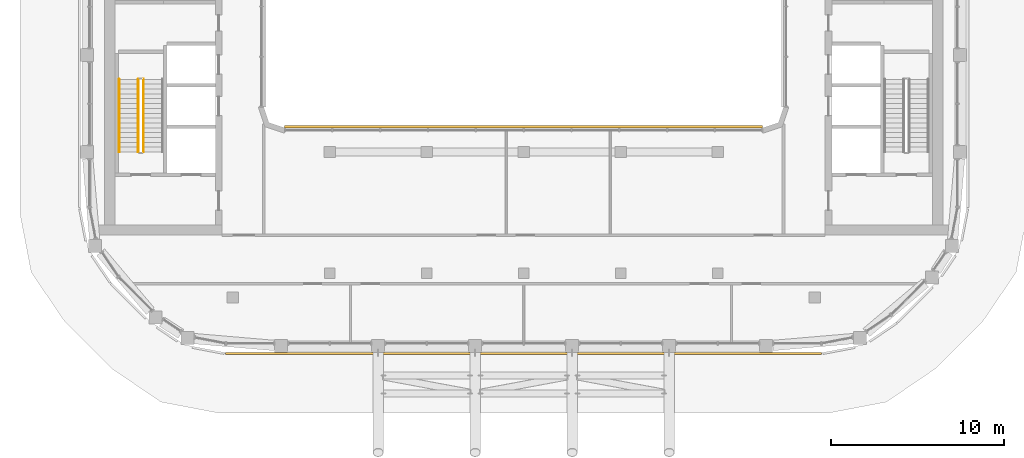
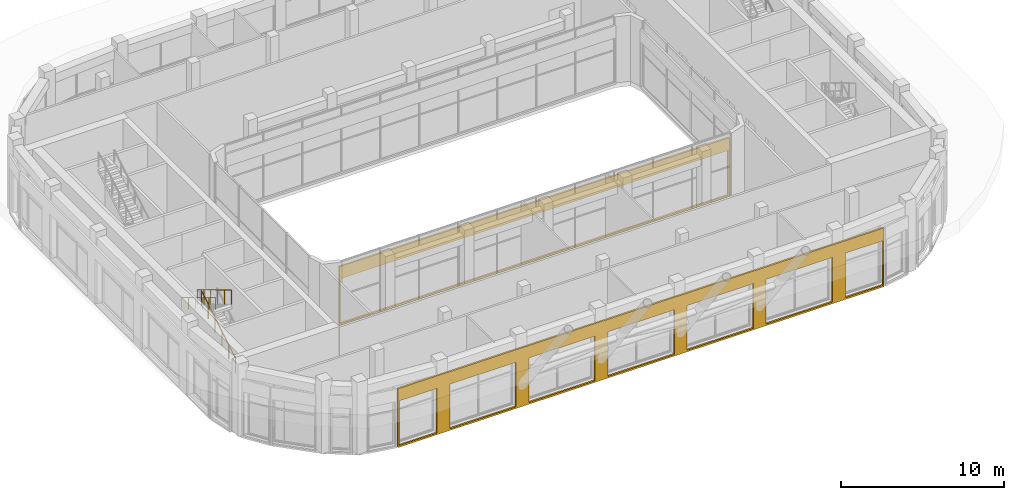
# One storey, part 20 of 24: 3 railings, 2 coverings.
"""IFC4 building model written with IfcOpenShell, lengths in metres."""

from ifc_helpers import new_model, si_unit, direction, frame, origin, origin_2d, place, context, subcontext, project, spatial, polyline, circle, outline, extrude, material, layer, layer_set, type_object, element, save


model = new_model("IFC4")

# Units and contexts
model_context = context("Model", 3, precision=1e-05, world=origin(), true_north=direction((0.0, 1.0)))
body_context = subcontext(model_context, "Body", "Model", "MODEL_VIEW")
ifc_project = project(units=[si_unit("LENGTHUNIT", "METRE"), si_unit("AREAUNIT", "SQUARE_METRE"), si_unit("VOLUMEUNIT", "CUBIC_METRE"), si_unit("PLANEANGLEUNIT", "RADIAN"), si_unit("MASSUNIT", "GRAM", prefix="KILO")], contexts=[model_context])

# Site, building, storey
site_placement = place(None, origin())
site = spatial("IfcSite", under=ifc_project, at=site_placement, CompositionType="ELEMENT")
building_placement = place(site_placement, origin())
building = spatial("IfcBuilding", under=site, at=building_placement, Name="Kiln Ring Residences", CompositionType="ELEMENT")
storey_placement = place(building_placement, frame((0.0, 0.0, 283.699951171875)))
storey = spatial("IfcBuildingStorey", under=building, at=storey_placement, Name="L74", CompositionType="ELEMENT", Elevation=283.699951171875)

# Railings
ifc_material_1 = material(Name="Stainless steel", Category="steel")
railing_type_1 = type_object("IfcRailingType", Name="CORE-STAIR-GUARD", PredefinedType="GUARDRAIL", material=ifc_material_1)
railing_1_placement = place(storey_placement, frame((-21.949951171875, -8.39990234375, 0.168701171875)))
element("IfcRailing", 1, at=railing_1_placement, inside=storey, type_object=railing_type_1, Name="L74 W-STS stair guard 1", PredefinedType="GUARDRAIL", context=body_context, shape_type="SweptSolid", body=[
    extrude(circle(Radius=0.02392578125, at=origin_2d()), frame((0.0, 0.0, 1.076171875), z_axis=(0.0, 0.856476492594, 0.516186030065), x_axis=(-1.0, 0.0, 0.0)), (0.0, 0.0, 1.0), 4.90380859375),
    extrude(circle(Radius=0.02099609375, at=origin_2d()), origin(), (0.0, 0.0, 1.0), 1.052001953125),
    extrude(circle(Radius=0.02099609375, at=origin_2d()), frame((0.0, 0.840087890625, 0.50634765625)), (0.0, 0.0, 1.0), 1.052001953125),
    extrude(circle(Radius=0.02099609375, at=origin_2d()), frame((0.0, 1.679931640625, 1.012451171875)), (0.0, 0.0, 1.0), 1.052001953125),
    extrude(circle(Radius=0.02099609375, at=origin_2d()), frame((0.0, 2.52001953125, 1.518798828125)), (0.0, 0.0, 1.0), 1.052001953125),
    extrude(circle(Radius=0.02099609375, at=origin_2d()), frame((0.0, 3.35986328125, 2.02490234375)), (0.0, 0.0, 1.0), 1.052001953125),
    extrude(circle(Radius=0.02099609375, at=origin_2d()), frame((0.0, 4.199951171875, 2.53125)), (0.0, 0.0, 1.0), 1.052001953125),
])
railing_2_placement = place(storey_placement, frame((-22.25, -4.199951171875, 2.868896484375)))
element("IfcRailing", 2, at=railing_2_placement, inside=storey, type_object=railing_type_1, Name="L74 W-STS stair guard 3", PredefinedType="GUARDRAIL", context=body_context, shape_type="SweptSolid", body=[
    extrude(circle(Radius=0.02392578125, at=origin_2d()), frame((0.0, 0.0, 1.076171875), z_axis=(0.0, -0.856476492594, 0.516186030065), x_axis=(1.0, 0.0, 0.0)), (0.0, 0.0, 1.0), 4.90380859375),
    extrude(circle(Radius=0.02099609375, at=origin_2d()), origin(), (0.0, 0.0, 1.0), 1.052001953125),
    extrude(circle(Radius=0.02099609375, at=origin_2d()), frame((0.0, -0.840087890625, 0.50634765625)), (0.0, 0.0, 1.0), 1.052001953125),
    extrude(circle(Radius=0.02099609375, at=origin_2d()), frame((0.0, -1.679931640625, 1.012451171875)), (0.0, 0.0, 1.0), 1.052001953125),
    extrude(circle(Radius=0.02099609375, at=origin_2d()), frame((0.0, -2.52001953125, 1.518798828125)), (0.0, 0.0, 1.0), 1.052001953125),
    extrude(circle(Radius=0.02099609375, at=origin_2d()), frame((0.0, -3.35986328125, 2.02490234375)), (0.0, 0.0, 1.0), 1.052001953125),
    extrude(circle(Radius=0.02099609375, at=origin_2d()), frame((0.0, -4.199951171875, 2.53125)), (0.0, 0.0, 1.0), 1.052001953125),
])
ifc_material_2 = material(Name="Stainless steel", Category="steel")
railing_type_2 = type_object("IfcRailingType", Name="CORE-STAIR-HANDRAIL", PredefinedType="HANDRAIL", material=ifc_material_2)
railing_3_placement = place(storey_placement, frame((-23.35009765625, -4.199951171875, 2.868896484375)))
element("IfcRailing", 3, at=railing_3_placement, inside=storey, type_object=railing_type_2, Name="L74 W-STS stair handrail 2", PredefinedType="HANDRAIL", context=body_context, shape_type="SweptSolid", body=[
    extrude(circle(Radius=0.02392578125, at=origin_2d()), frame((0.0, 0.0, 0.8759765625), z_axis=(0.0, -0.856476492594, 0.516186030065), x_axis=(1.0, 0.0, 0.0)), (0.0, 0.0, 1.0), 4.90380859375),
    extrude(circle(Radius=0.02099609375, at=origin_2d()), origin(), (0.0, 0.0, 1.0), 0.851806640625),
    extrude(circle(Radius=0.02099609375, at=origin_2d()), frame((0.0, -0.840087890625, 0.50634765625)), (0.0, 0.0, 1.0), 0.851806640625),
    extrude(circle(Radius=0.02099609375, at=origin_2d()), frame((0.0, -1.679931640625, 1.012451171875)), (0.0, 0.0, 1.0), 0.851806640625),
    extrude(circle(Radius=0.02099609375, at=origin_2d()), frame((0.0, -2.52001953125, 1.518798828125)), (0.0, 0.0, 1.0), 0.851806640625),
    extrude(circle(Radius=0.02099609375, at=origin_2d()), frame((0.0, -3.35986328125, 2.02490234375)), (0.0, 0.0, 1.0), 0.851806640625),
    extrude(circle(Radius=0.02099609375, at=origin_2d()), frame((0.0, -4.199951171875, 2.53125)), (0.0, 0.0, 1.0), 0.851806640625),
])

# Coverings
ifc_material_3 = material(Name="Brick masonry, dark clay brick", Category="masonry")
ifc_layer = layer(ifc_material_3, 0.1201171875)
ifc_layer_set = layer_set([ifc_layer], Name="RAINSCREEN PANEL 120")
covering_type = type_object("IfcCoveringType", Name="RAINSCREEN PANEL 120", PredefinedType="CLADDING", material=ifc_layer_set)
covering_1_placement = place(storey_placement, frame((-17.199951171875, -20.034912109375, 0.0), z_axis=(0.0, 0.0, 1.0), x_axis=(1.0, 0.0, 0.0)))
element("IfcCovering", 4, at=covering_1_placement, inside=storey, type_object=covering_type, Name="RAINSCREEN L74", PredefinedType="CLADDING", context=body_context, shape_type="SweptSolid", body=[
    extrude(outline(polyline([(0.0, 0.0), (34.39990234375, 0.0), (34.39990234375, 4.400146484375), (0.0, 4.400146484375), (0.0, 0.0)]), holes=[polyline([(2.7451171875, 0.130126953125), (2.7451171875, 3.469970703125), (0.080078125, 3.469970703125), (0.080078125, 0.130126953125), (2.7451171875, 0.130126953125)]), polyline([(3.655029296875, 0.130126953125), (8.344970703125, 0.130126953125), (8.344970703125, 3.469970703125), (3.655029296875, 3.469970703125), (3.655029296875, 0.130126953125)]), polyline([(9.2548828125, 0.130126953125), (13.945068359375, 0.130126953125), (13.945068359375, 3.469970703125), (9.2548828125, 3.469970703125), (9.2548828125, 0.130126953125)]), polyline([(14.85498046875, 0.130126953125), (19.544921875, 0.130126953125), (19.544921875, 3.469970703125), (14.85498046875, 3.469970703125), (14.85498046875, 0.130126953125)]), polyline([(20.455078125, 0.130126953125), (25.14501953125, 0.130126953125), (25.14501953125, 3.469970703125), (20.455078125, 3.469970703125), (20.455078125, 0.130126953125)]), polyline([(26.054931640625, 0.130126953125), (30.7451171875, 0.130126953125), (30.7451171875, 3.469970703125), (26.054931640625, 3.469970703125), (26.054931640625, 0.130126953125)]), polyline([(31.655029296875, 0.130126953125), (34.320068359375, 0.130126953125), (34.320068359375, 3.469970703125), (31.655029296875, 3.469970703125), (31.655029296875, 0.130126953125)])]), frame((0.0, 0.06005859375, 0.0), z_axis=(0.0, -1.0, 0.0), x_axis=(1.0, 0.0, 0.0)), (0.0, 0.0, 1.0), 0.1201171875),
])
covering_2_placement = place(storey_placement, frame((13.800048828125, -6.93994140625, 0.0), z_axis=(0.0, 0.0, 1.0), x_axis=(-1.0, 0.0, 0.0)))
element("IfcCovering", 5, at=covering_2_placement, inside=storey, type_object=covering_type, Name="RAINSCREEN L74", PredefinedType="CLADDING", context=body_context, shape_type="SweptSolid", body=[
    extrude(outline(polyline([(0.0, 0.0), (27.60009765625, 0.0), (27.60009765625, 4.400146484375), (0.0, 4.400146484375), (0.0, 0.0)]), holes=[polyline([(0.080078125, 3.469970703125), (0.080078125, 0.130126953125), (27.52001953125, 0.130126953125), (27.52001953125, 3.469970703125), (0.080078125, 3.469970703125)])]), frame((0.0, 0.06005859375, 0.0), z_axis=(0.0, -1.0, 0.0), x_axis=(1.0, 0.0, 0.0)), (0.0, 0.0, 1.0), 0.1201171875),
])

save(model, "model.ifc")
